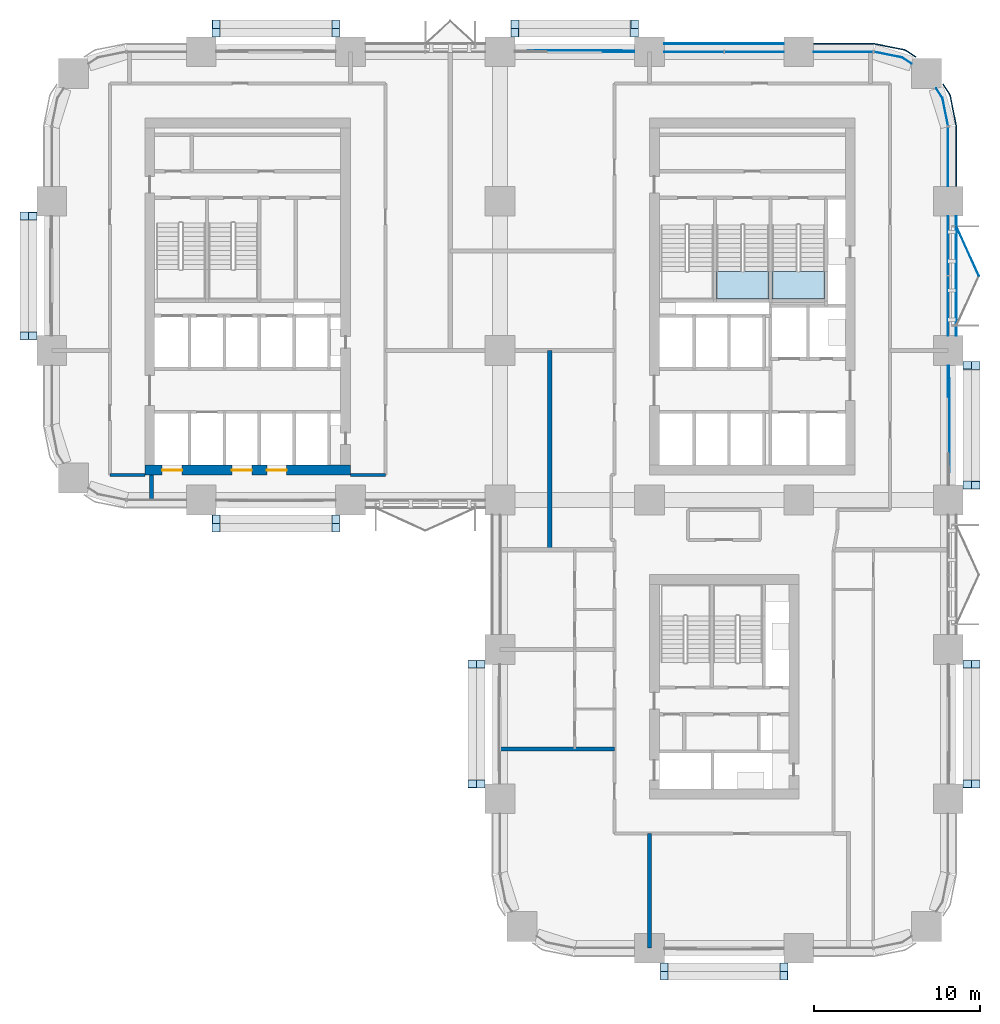
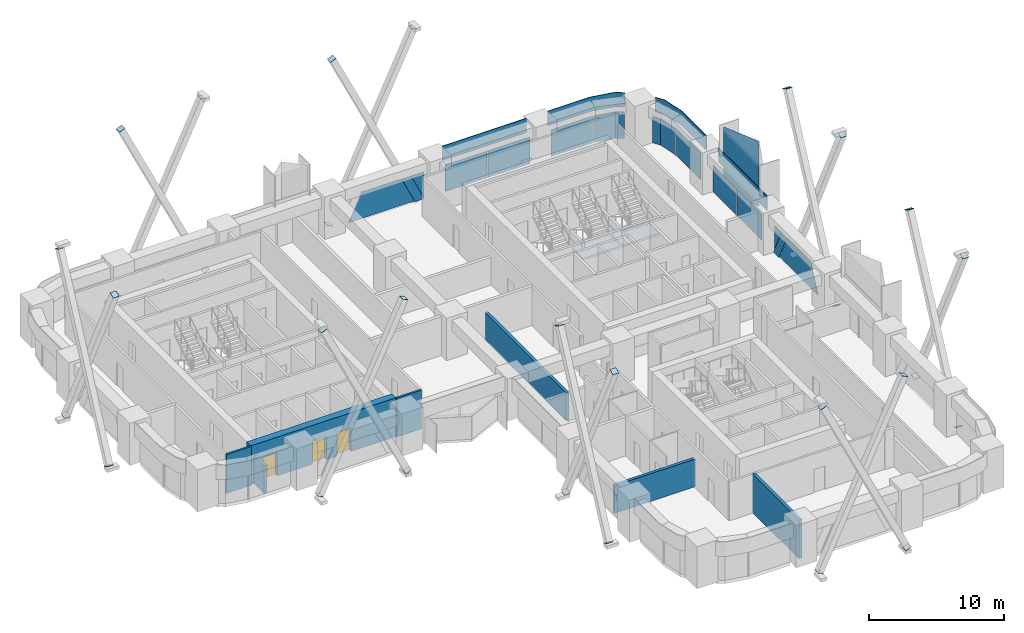
# One storey, part 12 of 19: 51 plates, 7 walls, 3 doors, 2 slabs, 3 openings, 8 elements without a shape of their own.
"""IFC4 building model written with IfcOpenShell, lengths in metres."""

from ifc_helpers import new_model, si_unit, direction, frame, frame_2d, origin, origin_2d, place, context, subcontext, project, spatial, polyline, rectangle, outline, extrude, material, layer, layer_set, type_object, element, fill, aggregate, save


model = new_model("IFC4")

# Units and contexts
model_context = context("Model", 3, precision=1e-05, world=origin(), true_north=direction((0.0, 1.0)))
body_context = subcontext(model_context, "Body", "Model", "MODEL_VIEW")
ifc_project = project(units=[si_unit("LENGTHUNIT", "METRE"), si_unit("AREAUNIT", "SQUARE_METRE"), si_unit("VOLUMEUNIT", "CUBIC_METRE"), si_unit("PLANEANGLEUNIT", "RADIAN"), si_unit("MASSUNIT", "GRAM", prefix="KILO")], contexts=[model_context])

# Site, building, storey
site_placement = place(None, origin())
site = spatial("IfcSite", under=ifc_project, at=site_placement, CompositionType="ELEMENT")
building_placement = place(site_placement, origin())
building = spatial("IfcBuilding", under=site, at=building_placement, Name="Tessera Arch", CompositionType="ELEMENT")
storey_placement = place(building_placement, frame((0.0, 0.0, 93.0)))
storey = spatial("IfcBuildingStorey", under=building, at=storey_placement, Name="L21", CompositionType="ELEMENT", Elevation=93.0)

# Curtain wall, plates
ifc_material_1 = material(Name="CW1 curtain wall")
curtain_wall_type_1 = type_object("IfcCurtainWallType", Name="CW1 curtain wall", PredefinedType="NOTDEFINED", material=ifc_material_1)
curtain_wall_1_placement = place(storey_placement, origin())
curtain_wall_1 = element("IfcCurtainWall", 1, at=curtain_wall_1_placement, inside=storey, type_object=curtain_wall_type_1, Name="CW1 curtain wall N54.0/0 L21", PredefinedType="NOTDEFINED")
ifc_material_2 = material(Name="Clear low-e glass", Category="glass")
ifc_material_3 = material(Name="Clear low-e glass", Category="glass")
ifc_layer_1 = layer(ifc_material_3, 0.028076171875)
ifc_layer_set_1 = layer_set([ifc_layer_1], Name="CW1 glass panel")
plate_type_1 = type_object("IfcPlateType", Name="CW1 glass panel", PredefinedType="CURTAIN_PANEL", material=ifc_layer_set_1)
plate_1_placement = place(storey_placement, frame((42.31494140625, 54.0, 0.0), z_axis=(0.0, 0.0, 1.0), x_axis=(-1.0, 0.0, 0.0)))
plate_1 = element("IfcPlate", 2, at=plate_1_placement, type_object=plate_type_1, material=ifc_material_2, Name="CW1 glass panel N54.0/0 1.1.1", PredefinedType="CURTAIN_PANEL", context=body_context, shape_type="SweptSolid", body=[
    extrude(rectangle(XDim=3.570068359375, YDim=0.028076171875, at=origin_2d()), origin(), (0.0, 0.0, 1.0), 2.39990234375),
])
plate_2_placement = place(storey_placement, frame((38.68505859375, 54.0, 0.0), z_axis=(0.0, 0.0, 1.0), x_axis=(-1.0, 0.0, 0.0)))
plate_2 = element("IfcPlate", 3, at=plate_2_placement, type_object=plate_type_1, material=ifc_material_2, Name="CW1 glass panel N54.0/0 1.2.1", PredefinedType="CURTAIN_PANEL", context=body_context, shape_type="SweptSolid", body=[
    extrude(rectangle(XDim=3.570068359375, YDim=0.028076171875, at=origin_2d()), origin(), (0.0, 0.0, 1.0), 2.39990234375),
])

curtain_wall_2_placement = place(storey_placement, origin())
curtain_wall_2 = element("IfcCurtainWall", 4, at=curtain_wall_2_placement, inside=storey, type_object=curtain_wall_type_1, Name="CW1 curtain wall E54.0/4 L21", PredefinedType="NOTDEFINED")
plate_3_placement = place(storey_placement, frame((54.0, 38.68505859375, 0.0), z_axis=(0.0, 0.0, 1.0), x_axis=(0.0, 1.0, 0.0)))
plate_3 = element("IfcPlate", 5, at=plate_3_placement, type_object=plate_type_1, material=ifc_material_2, Name="CW1 glass panel E54.0/4 1.1.1", PredefinedType="CURTAIN_PANEL", context=body_context, shape_type="SweptSolid", body=[
    extrude(rectangle(XDim=3.570068359375, YDim=0.028076171875, at=origin_2d()), origin(), (0.0, 0.0, 1.0), 2.39990234375),
])
plate_4_placement = place(storey_placement, frame((54.0, 42.31494140625, 0.0), z_axis=(0.0, 0.0, 1.0), x_axis=(0.0, 1.0, 0.0)))
plate_4 = element("IfcPlate", 6, at=plate_4_placement, type_object=plate_type_1, material=ifc_material_2, Name="CW1 glass panel E54.0/4 1.2.1", PredefinedType="CURTAIN_PANEL", context=body_context, shape_type="SweptSolid", body=[
    extrude(rectangle(XDim=3.570068359375, YDim=0.028076171875, at=origin_2d()), origin(), (0.0, 0.0, 1.0), 2.39990234375),
])

# Plate
ifc_material_4 = material(Name="Pale anodised aluminium panel", Category="aluminium")
ifc_layer_2 = layer(ifc_material_4, 0.06005859375)
ifc_layer_set_2 = layer_set([ifc_layer_2], Name="CW1 spandrel panel")
plate_type_2 = type_object("IfcPlateType", Name="CW1 spandrel panel", PredefinedType="CURTAIN_PANEL", material=ifc_layer_set_2)
plate_5_placement = place(storey_placement, frame((40.5, 54.47998046875, 2.5), z_axis=(0.0, 0.0, 1.0), x_axis=(-1.0, 0.0, 0.0)))
plate_5 = element("IfcPlate", 7, at=plate_5_placement, type_object=plate_type_2, Name="CW1 spandrel panel N54.0/0", PredefinedType="CURTAIN_PANEL", context=body_context, shape_type="SweptSolid", body=[
    extrude(rectangle(XDim=7.199951171875, YDim=0.06005859375, at=origin_2d()), origin(), (0.0, 0.0, 1.0), 1.300048828125),
])

aggregate(curtain_wall_1, [plate_1, plate_2, plate_5])

plate_6_placement = place(storey_placement, frame((54.47998046875, 40.5, 2.5), z_axis=(0.0, 0.0, 1.0), x_axis=(0.0, 1.0, 0.0)))
plate_6 = element("IfcPlate", 8, at=plate_6_placement, type_object=plate_type_2, Name="CW1 spandrel panel E54.0/4", PredefinedType="CURTAIN_PANEL", context=body_context, shape_type="SweptSolid", body=[
    extrude(rectangle(XDim=7.199951171875, YDim=0.06005859375, at=origin_2d()), origin(), (0.0, 0.0, 1.0), 1.300048828125),
])

aggregate(curtain_wall_2, [plate_3, plate_4, plate_6])

# Curtain wall, plates
ifc_material_5 = material(Name="CW2 curtain wall")
curtain_wall_type_2 = type_object("IfcCurtainWallType", Name="CW2 curtain wall", PredefinedType="NOTDEFINED", material=ifc_material_5)
curtain_wall_3_placement = place(storey_placement, origin())
curtain_wall_3 = element("IfcCurtainWall", 9, at=curtain_wall_3_placement, inside=storey, type_object=curtain_wall_type_2, Name="CW2 curtain wall E54.0/5 L21", PredefinedType="NOTDEFINED")
ifc_material_6 = material(Name="Clear low-e glass", Category="glass")
ifc_layer_3 = layer(ifc_material_6, 0.028076171875)
ifc_layer_set_3 = layer_set([ifc_layer_3], Name="CW2 glass panel")
plate_type_3 = type_object("IfcPlateType", Name="CW2 glass panel", PredefinedType="CURTAIN_PANEL", material=ifc_layer_set_3)
plate_7_placement = place(storey_placement, frame((54.0, 47.679931640625, 0.0), z_axis=(0.0, 0.0, 1.0), x_axis=(0.0, 1.0, 0.0)))
plate_7 = element("IfcPlate", 10, at=plate_7_placement, type_object=plate_type_3, material=ifc_material_2, Name="CW2 glass panel E54.0/5 1.1", PredefinedType="CURTAIN_PANEL", context=body_context, shape_type="SweptSolid", body=[
    extrude(rectangle(XDim=3.56005859375, YDim=0.028076171875, at=origin_2d()), origin(), (0.0, 0.0, 1.0), 2.39990234375),
])
plate_8_placement = place(storey_placement, origin())
plate_8 = element("IfcPlate", 11, at=plate_8_placement, type_object=plate_type_3, material=ifc_material_2, Name="CW2 curved glass panel E54.0/5 2.1", PredefinedType="CURTAIN_PANEL", context=body_context, shape_type="SweptSolid", body=[
    extrude(outline(polyline([(53.644287109375, 51.216552734375), (53.978515625, 49.53662109375), (54.005859375, 49.5419921875), (53.670654296875, 51.2275390625), (53.294921875, 51.789794921875), (53.271728515625, 51.774169921875), (53.644287109375, 51.216552734375)])), origin(), (0.0, 0.0, 1.0), 2.39990234375),
])

curtain_wall_4_placement = place(storey_placement, origin())
curtain_wall_4 = element("IfcCurtainWall", 12, at=curtain_wall_4_placement, inside=storey, type_object=curtain_wall_type_2, Name="CW2 curtain wall N54.0/5 L21", PredefinedType="NOTDEFINED")
plate_9_placement = place(storey_placement, frame((47.679931640625, 54.0, 0.0), z_axis=(0.0, 0.0, 1.0), x_axis=(-1.0, 0.0, 0.0)))
plate_9 = element("IfcPlate", 13, at=plate_9_placement, type_object=plate_type_3, material=ifc_material_2, Name="CW2 glass panel N54.0/5 1.1", PredefinedType="CURTAIN_PANEL", context=body_context, shape_type="SweptSolid", body=[
    extrude(rectangle(XDim=3.56005859375, YDim=0.028076171875, at=origin_2d()), origin(), (0.0, 0.0, 1.0), 2.39990234375),
])
plate_10_placement = place(storey_placement, origin())
plate_10 = element("IfcPlate", 14, at=plate_10_placement, type_object=plate_type_3, material=ifc_material_2, Name="CW2 curved glass panel N54.0/5 2.1", PredefinedType="CURTAIN_PANEL", context=body_context, shape_type="SweptSolid", body=[
    extrude(outline(polyline([(51.216552734375, 53.644287109375), (51.774169921875, 53.271728515625), (51.789794921875, 53.294921875), (51.2275390625, 53.670654296875), (49.5419921875, 54.005859375), (49.53662109375, 53.978515625), (51.216552734375, 53.644287109375)])), origin(), (0.0, 0.0, 1.0), 2.39990234375),
])

# Plate
ifc_material_7 = material(Name="Pale anodised aluminium panel", Category="aluminium")
ifc_layer_4 = layer(ifc_material_7, 0.06005859375)
ifc_layer_set_4 = layer_set([ifc_layer_4], Name="CW2 spandrel panel")
plate_type_4 = type_object("IfcPlateType", Name="CW2 spandrel panel", PredefinedType="CURTAIN_PANEL", material=ifc_layer_set_4)
plate_11_placement = place(storey_placement, frame((0.0, 0.0, 2.5)))
plate_11 = element("IfcPlate", 15, at=plate_11_placement, type_object=plate_type_4, Name="CW2 spandrel panel E54.0/5", PredefinedType="CURTAIN_PANEL", context=body_context, shape_type="SweptSolid", body=[
    extrude(outline(polyline([(54.449951171875, 49.499267578125), (54.449951171875, 45.89990234375), (54.510009765625, 45.89990234375), (54.510009765625, 49.500732421875), (54.507568359375, 49.550048828125), (54.500244140625, 49.598876953125), (54.157470703125, 51.322265625), (54.1455078125, 51.3701171875), (54.128662109375, 51.417236328125), (54.107177734375, 51.462646484375), (54.08203125, 51.5048828125), (53.707275390625, 52.0654296875), (53.657470703125, 52.031982421875), (54.03125, 51.47265625), (54.05419921875, 51.434326171875), (54.0732421875, 51.394287109375), (54.088134765625, 51.352783203125), (54.09912109375, 51.30908203125), (54.441162109375, 49.588623046875), (54.44775390625, 49.544189453125), (54.449951171875, 49.499267578125)])), origin(), (0.0, 0.0, 1.0), 1.300048828125),
])

aggregate(curtain_wall_3, [plate_7, plate_8, plate_11])

plate_12_placement = place(storey_placement, frame((0.0, 0.0, 2.5)))
plate_12 = element("IfcPlate", 16, at=plate_12_placement, type_object=plate_type_4, Name="CW2 spandrel panel N54.0/5", PredefinedType="CURTAIN_PANEL", context=body_context, shape_type="SweptSolid", body=[
    extrude(outline(polyline([(51.47265625, 54.03125), (52.031982421875, 53.657470703125), (52.0654296875, 53.707275390625), (51.5048828125, 54.08203125), (51.462646484375, 54.107177734375), (51.417236328125, 54.128662109375), (51.3701171875, 54.1455078125), (51.322265625, 54.157470703125), (49.598876953125, 54.500244140625), (49.550048828125, 54.507568359375), (49.500732421875, 54.510009765625), (45.89990234375, 54.510009765625), (45.89990234375, 54.449951171875), (49.499267578125, 54.449951171875), (49.544189453125, 54.44775390625), (49.588623046875, 54.441162109375), (51.30908203125, 54.09912109375), (51.352783203125, 54.088134765625), (51.394287109375, 54.0732421875), (51.434326171875, 54.05419921875), (51.47265625, 54.03125)])), origin(), (0.0, 0.0, 1.0), 1.300048828125),
])

aggregate(curtain_wall_4, [plate_9, plate_10, plate_12])

# Curtain wall, plate
ifc_material_8 = material(Name="CW3 curtain wall")
curtain_wall_type_3 = type_object("IfcCurtainWallType", Name="CW3 curtain wall", PredefinedType="NOTDEFINED", material=ifc_material_8)
curtain_wall_5_placement = place(storey_placement, origin())
curtain_wall_5 = element("IfcCurtainWall", 17, at=curtain_wall_5_placement, inside=storey, type_object=curtain_wall_type_3, Name="CW3 curtain wall N54.0/1 L21", PredefinedType="NOTDEFINED")
ifc_material_9 = material(Name="Pale anodised aluminium panel", Category="aluminium")
ifc_layer_5 = layer(ifc_material_9, 0.06005859375)
ifc_layer_set_5 = layer_set([ifc_layer_5], Name="CW3 diagonal panel")
plate_type_5 = type_object("IfcPlateType", Name="CW3 diagonal panel", PredefinedType="CURTAIN_PANEL", material=ifc_layer_set_5)
plate_13_placement = place(storey_placement, frame((33.18505859375, 54.030029296875, 2.39990234375), z_axis=(0.0, 1.0, 0.0), x_axis=(1.0, 0.0, 0.0)))
plate_13 = element("IfcPlate", 18, at=plate_13_placement, type_object=plate_type_5, Name="CW3 diagonal panel N54.0/1 2", PredefinedType="CURTAIN_PANEL", context=body_context, shape_type="SweptSolid", body=[
    extrude(outline(polyline([(0.0, 0.0), (0.79833984375, 0.0), (1.9150390625, 2.357421875), (1.9150390625, 2.39990234375), (1.136962890625, 2.39990234375), (0.0, 0.0)])), origin(), (0.0, 0.0, -1.0), 0.06005859375),
])

curtain_wall_6_placement = place(storey_placement, origin())
curtain_wall_6 = element("IfcCurtainWall", 19, at=curtain_wall_6_placement, inside=storey, type_object=curtain_wall_type_3, Name="CW3 curtain wall E54.0/3 L21", PredefinedType="NOTDEFINED")
plate_14_placement = place(storey_placement, frame((54.030029296875, 35.10009765625, 0.0), z_axis=(1.0, 0.0, 0.0), x_axis=(0.0, 0.0, 1.0)))
plate_14 = element("IfcPlate", 20, at=plate_14_placement, type_object=plate_type_5, Name="CW3 diagonal panel E54.0/3 1", PredefinedType="CURTAIN_PANEL", context=body_context, shape_type="SweptSolid", body=[
    extrude(outline(polyline([(0.0, 0.0), (0.04248046875, 0.0), (2.39990234375, 1.11669921875), (2.39990234375, 1.9150390625), (0.0, 0.778076171875), (0.0, 0.0)])), origin(), (0.0, 0.0, -1.0), 0.06005859375),
])

# Plate
ifc_material_10 = material(Name="Clear low-e glass", Category="glass")
ifc_layer_6 = layer(ifc_material_10, 0.028076171875)
ifc_layer_set_6 = layer_set([ifc_layer_6], Name="CW3 glass panel")
plate_type_6 = type_object("IfcPlateType", Name="CW3 glass panel", PredefinedType="CURTAIN_PANEL", material=ifc_layer_set_6)
plate_15_placement = place(storey_placement, frame((35.10009765625, 54.05810546875, 2.39990234375), z_axis=(0.0, 1.0, 0.0), x_axis=(0.0, 0.0, -1.0)))
plate_15 = element("IfcPlate", 21, at=plate_15_placement, type_object=plate_type_6, material=ifc_material_2, Name="CW3 triangulated glass panel N54.0/1 1", PredefinedType="CURTAIN_PANEL", context=body_context, shape_type="SweptSolid", body=[
    extrude(outline(polyline([(0.0, 0.0), (2.357421875, 0.0), (0.0, 1.11669921875), (0.0, 0.0)])), origin(), (0.0, 0.0, -1.0), 0.028076171875),
])

plate_16_placement = place(storey_placement, frame((29.81494140625, 54.0859375, 2.39990234375), z_axis=(0.0, 1.0, 0.0), x_axis=(1.0, 0.0, 0.0)))
plate_16 = element("IfcPlate", 22, at=plate_16_placement, type_object=plate_type_6, material=ifc_material_2, Name="CW3 triangulated glass panel N54.0/1 2", PredefinedType="CURTAIN_PANEL", context=body_context, shape_type="SweptSolid", body=[
    extrude(outline(polyline([(0.0, 0.0), (3.3701171875, 0.0), (4.507080078125, 2.39990234375), (-1.136962890625, 2.39990234375), (0.0, 0.0)])), origin(), (0.0, 0.0, -1.0), 0.028076171875),
])

aggregate(curtain_wall_5, [plate_15, plate_16, plate_13])

plate_17_placement = place(storey_placement, frame((54.0859375, 33.18505859375, 2.39990234375), z_axis=(1.0, 0.0, 0.0), x_axis=(0.0, -1.0, 0.0)))
plate_17 = element("IfcPlate", 23, at=plate_17_placement, type_object=plate_type_6, material=ifc_material_2, Name="CW3 triangulated glass panel E54.0/3 2", PredefinedType="CURTAIN_PANEL", context=body_context, shape_type="SweptSolid", body=[
    extrude(outline(polyline([(0.0, 0.0), (3.3701171875, 0.0), (4.507080078125, 2.39990234375), (-1.136962890625, 2.39990234375), (0.0, 0.0)])), origin(), (0.0, 0.0, -1.0), 0.028076171875),
])

plate_18_placement = place(storey_placement, frame((54.05810546875, 35.10009765625, 2.39990234375), z_axis=(1.0, 0.0, 0.0), x_axis=(0.0, -1.0, 0.0)))
plate_18 = element("IfcPlate", 24, at=plate_18_placement, type_object=plate_type_6, material=ifc_material_2, Name="CW3 triangulated glass panel E54.0/3 3", PredefinedType="CURTAIN_PANEL", context=body_context, shape_type="SweptSolid", body=[
    extrude(outline(polyline([(0.0, 0.0), (1.11669921875, 0.0), (0.0, 2.357421875), (0.0, 0.0)])), origin(), (0.0, 0.0, -1.0), 0.028076171875),
])

aggregate(curtain_wall_6, [plate_17, plate_18, plate_14])

# Plates
ifc_material_11 = material(Name="Steel A572 Gr50", Category="steel")
ifc_layer_7 = layer(ifc_material_11, 0.02490234375)
ifc_layer_set_7 = layer_set([ifc_layer_7], Name="End plate HSS20x20x5/8")
plate_type_7 = type_object("IfcPlateType", Name="End plate HSS20x20x5/8", PredefinedType="SHEET", material=ifc_layer_set_7)
for number, where, z_axis, x_axis, name in (
    (25, (35.110595703125, 55.154052734375, -0.822509765625), (-0.423424464258, 0.0, 0.9059314119), (0.0, -1.0, 0.0), "End plate HSS20x20x5/8 N54.0-1 A1 L21"),
    (26, (27.89990234375, 55.154052734375, 14.39990234375), (-0.41967700251, 0.0, 0.907673517056), (0.0, -1.0, 0.0), "End plate HSS20x20x5/8 N54.0-1 A2 L21"),
    (27, (27.889404296875, 55.662109375, -0.822509765625), (0.423424464258, 0.0, 0.9059314119), (0.0, 1.0, 0.0), "End plate HSS20x20x5/8 N54.0-1 B1 L21"),
    (28, (35.10009765625, 55.662109375, 14.39990234375), (0.41967700251, 0.0, 0.907673517056), (0.0, 1.0, 0.0), "End plate HSS20x20x5/8 N54.0-1 B2 L21"),
    (29, (17.110595703125, 55.154052734375, -0.822509765625), (-0.423424464258, 0.0, 0.9059314119), (0.0, -1.0, 0.0), "End plate HSS20x20x5/8 N54.0-3 A1 L21"),
    (30, (9.89990234375, 55.154052734375, 14.39990234375), (-0.41967700251, 0.0, 0.907673517056), (0.0, -1.0, 0.0), "End plate HSS20x20x5/8 N54.0-3 A2 L21"),
    (31, (9.889404296875, 55.662109375, -0.822509765625), (0.423424464258, 0.0, 0.9059314119), (0.0, 1.0, 0.0), "End plate HSS20x20x5/8 N54.0-3 B1 L21"),
    (32, (17.10009765625, 55.662109375, 14.39990234375), (0.41967700251, 0.0, 0.907673517056), (0.0, 1.0, 0.0), "End plate HSS20x20x5/8 N54.0-3 B2 L21"),
    (33, (-1.154052734375, 44.110595703125, -0.822509765625), (0.0, -0.423424464258, 0.9059314119), (1.0, 0.0, 0.0), "End plate HSS20x20x5/8 W0.27-1 A1 L21"),
    (34, (-1.154052734375, 36.89990234375, 14.39990234375), (0.0, -0.41967700251, 0.907673517056), (1.0, 0.0, 0.0), "End plate HSS20x20x5/8 W0.27-1 A2 L21"),
    (35, (-1.662109375, 36.889404296875, -0.822509765625), (0.0, 0.423424464258, 0.9059314119), (-1.0, 0.0, 0.0), "End plate HSS20x20x5/8 W0.27-1 B1 L21"),
    (36, (-1.662109375, 44.10009765625, 14.39990234375), (0.0, 0.41967700251, 0.907673517056), (-1.0, 0.0, 0.0), "End plate HSS20x20x5/8 W0.27-1 B2 L21"),
    (37, (9.889404296875, 25.845947265625, -0.822509765625), (0.423424464258, 0.0, 0.9059314119), (0.0, 1.0, 0.0), "End plate HSS20x20x5/8 S27.0-1 A1 L21"),
    (38, (17.10009765625, 25.845947265625, 14.39990234375), (0.41967700251, 0.0, 0.907673517056), (0.0, 1.0, 0.0), "End plate HSS20x20x5/8 S27.0-1 A2 L21"),
    (39, (17.110595703125, 25.337890625, -0.822509765625), (-0.423424464258, 0.0, 0.9059314119), (0.0, -1.0, 0.0), "End plate HSS20x20x5/8 S27.0-1 B1 L21"),
    (40, (9.89990234375, 25.337890625, 14.39990234375), (-0.41967700251, 0.0, 0.907673517056), (0.0, -1.0, 0.0), "End plate HSS20x20x5/8 S27.0-1 B2 L21"),
    (41, (25.845947265625, 17.110595703125, -0.822509765625), (0.0, -0.423424464258, 0.9059314119), (1.0, 0.0, 0.0), "End plate HSS20x20x5/8 W27.0-1 A1 L21"),
    (42, (25.845947265625, 9.89990234375, 14.39990234375), (0.0, -0.41967700251, 0.907673517056), (1.0, 0.0, 0.0), "End plate HSS20x20x5/8 W27.0-1 A2 L21"),
    (43, (25.337890625, 9.889404296875, -0.822509765625), (0.0, 0.423424464258, 0.9059314119), (-1.0, 0.0, 0.0), "End plate HSS20x20x5/8 W27.0-1 B1 L21"),
    (44, (25.337890625, 17.10009765625, 14.39990234375), (0.0, 0.41967700251, 0.907673517056), (-1.0, 0.0, 0.0), "End plate HSS20x20x5/8 W27.0-1 B2 L21"),
    (45, (36.889404296875, -1.154052734375, -0.822509765625), (0.423424464258, 0.0, 0.9059314119), (0.0, 1.0, 0.0), "End plate HSS20x20x5/8 S0.27-1 A1 L21"),
    (46, (44.10009765625, -1.154052734375, 14.39990234375), (0.41967700251, 0.0, 0.907673517056), (0.0, 1.0, 0.0), "End plate HSS20x20x5/8 S0.27-1 A2 L21"),
    (47, (44.110595703125, -1.662109375, -0.822509765625), (-0.423424464258, 0.0, 0.9059314119), (0.0, -1.0, 0.0), "End plate HSS20x20x5/8 S0.27-1 B1 L21"),
    (48, (36.89990234375, -1.662109375, 14.39990234375), (-0.41967700251, 0.0, 0.907673517056), (0.0, -1.0, 0.0), "End plate HSS20x20x5/8 S0.27-1 B2 L21"),
    (49, (55.154052734375, 9.889404296875, -0.822509765625), (0.0, 0.423424464258, 0.9059314119), (-1.0, 0.0, 0.0), "End plate HSS20x20x5/8 E54.0-1 A1 L21"),
    (50, (55.154052734375, 17.10009765625, 14.39990234375), (0.0, 0.41967700251, 0.907673517056), (-1.0, 0.0, 0.0), "End plate HSS20x20x5/8 E54.0-1 A2 L21"),
    (51, (55.662109375, 17.110595703125, -0.822509765625), (0.0, -0.423424464258, 0.9059314119), (1.0, 0.0, 0.0), "End plate HSS20x20x5/8 E54.0-1 B1 L21"),
    (52, (55.662109375, 9.89990234375, 14.39990234375), (0.0, -0.41967700251, 0.907673517056), (1.0, 0.0, 0.0), "End plate HSS20x20x5/8 E54.0-1 B2 L21"),
    (53, (55.154052734375, 27.889404296875, -0.822509765625), (0.0, 0.423424464258, 0.9059314119), (-1.0, 0.0, 0.0), "End plate HSS20x20x5/8 E54.0-3 A1 L21"),
    (54, (55.154052734375, 35.10009765625, 14.39990234375), (0.0, 0.41967700251, 0.907673517056), (-1.0, 0.0, 0.0), "End plate HSS20x20x5/8 E54.0-3 A2 L21"),
    (55, (55.662109375, 35.110595703125, -0.822509765625), (0.0, -0.423424464258, 0.9059314119), (1.0, 0.0, 0.0), "End plate HSS20x20x5/8 E54.0-3 B1 L21"),
    (56, (55.662109375, 27.89990234375, 14.39990234375), (0.0, -0.41967700251, 0.907673517056), (1.0, 0.0, 0.0), "End plate HSS20x20x5/8 E54.0-3 B2 L21"),
):
    element("IfcPlate", number, at=place(storey_placement, frame(where, z_axis=z_axis, x_axis=x_axis)), inside=storey, type_object=plate_type_7, Name=name, PredefinedType="SHEET", context=body_context, shape_type="SweptSolid", body=[
        extrude(rectangle(XDim=0.508056640625, YDim=0.508056640625, at=origin_2d()), origin(), (0.0, 0.0, 1.0), 0.02490234375),
    ])

# Stair, slab
ifc_material_12 = material(Name="Concrete C40/50", Category="concrete")
stair_type = type_object("IfcStairType", Name="Dogleg stair 1520", PredefinedType="HALF_TURN_STAIR", material=ifc_material_12)
stair_1_placement = place(storey_placement, origin())
stair_1 = element("IfcStair", 57, at=stair_1_placement, inside=storey, type_object=stair_type, Name="L21 S1b", PredefinedType="HALF_TURN_STAIR")
ifc_material_13 = material(Name="Concrete C40/50", Category="concrete")
ifc_layer_8 = layer(ifc_material_13, 0.300048828125)
ifc_layer_set_8 = layer_set([ifc_layer_8], Name="Stair landing 300")
slab_type = type_object("IfcSlabType", Name="Stair landing 300", PredefinedType="LANDING", material=ifc_layer_set_8)
slab_1_placement = place(storey_placement, frame((0.0, 0.0, 1.699951171875)))
slab_1 = element("IfcSlab", 58, at=slab_1_placement, type_object=slab_type, Name="S1b landing 1", PredefinedType="LANDING", context=body_context, shape_type="SweptSolid", body=[
    extrude(outline(polyline([(40.050048828125, 40.780029296875), (40.050048828125, 39.10009765625), (43.199951171875, 39.10009765625), (43.199951171875, 40.780029296875), (40.050048828125, 40.780029296875)])), origin(), (0.0, 0.0, 1.0), 0.199951171875),
])
aggregate(stair_1, [slab_1])

stair_2_placement = place(storey_placement, origin())
stair_2 = element("IfcStair", 59, at=stair_2_placement, inside=storey, type_object=stair_type, Name="L21 S1c", PredefinedType="HALF_TURN_STAIR")
slab_2_placement = place(storey_placement, frame((0.0, 0.0, 1.699951171875)))
slab_2 = element("IfcSlab", 60, at=slab_2_placement, type_object=slab_type, Name="S1c landing 1", PredefinedType="LANDING", context=body_context, shape_type="SweptSolid", body=[
    extrude(outline(polyline([(43.39990234375, 40.780029296875), (43.39990234375, 39.10009765625), (46.550048828125, 39.10009765625), (46.550048828125, 40.780029296875), (43.39990234375, 40.780029296875)])), origin(), (0.0, 0.0, 1.0), 0.199951171875),
])
aggregate(stair_2, [slab_2])

# Plate
ifc_material_14 = material(Name="Clear low-e glass", Category="glass")
ifc_layer_9 = layer(ifc_material_14, 0.028076171875)
ifc_layer_set_9 = layer_set([ifc_layer_9], Name="Window box glass facet")
plate_type_8 = type_object("IfcPlateType", Name="Window box glass facet", PredefinedType="SHEET", material=ifc_layer_set_9)
plate_19_placement = place(storey_placement, frame((55.179931640625, 41.97509765625, 0.2197265625), z_axis=(0.0, 0.0, 1.0), x_axis=(0.413570397858, -0.910472144558, 0.0)))
element("IfcPlate", 61, at=plate_19_placement, inside=storey, type_object=plate_type_8, Name="Window box E54.0/4.0 2x2 glass", PredefinedType="SHEET", context=body_context, shape_type="SweptSolid", body=[
    extrude(rectangle(XDim=3.239990234375, YDim=0.028076171875, at=origin_2d()), origin(), (0.0, 0.0, 1.0), 5.860107421875),
])

# Wall, openings, doors
ifc_material_15 = material(Name="Concrete C70/85", Category="concrete")
ifc_layer_10 = layer(ifc_material_15, 0.60009765625)
ifc_layer_set_10 = layer_set([ifc_layer_10], Name="Core shell wall 600 C70-85")
wall_type_1 = type_object("IfcWallType", Name="Core shell wall 600 C70-85", PredefinedType="SHEAR", material=ifc_layer_set_10)
wall_1_placement = place(storey_placement, frame((5.60009765625, 28.800048828125, 0.0), z_axis=(0.0, 0.0, 1.0), x_axis=(1.0, 0.0, 0.0)))
wall_1 = element("IfcWall", 62, at=wall_1_placement, inside=storey, type_object=wall_type_1, Name="L21 C2 core wall S", PredefinedType="SHEAR", context=body_context, shape_type="SweptSolid", body=[
    extrude(rectangle(XDim=12.39990234375, YDim=0.60009765625, at=frame_2d((6.199951171875, 0.0))), origin(), (0.0, 0.0, 1.0), 3.5),
])
opening_1_placement = place(wall_1_placement, frame((1.050048828125, 0.0, 0.0)))
opening_1 = element("IfcOpeningElement", 63, at=opening_1_placement, cuts=wall_1, Name="Opening L21-C13", PredefinedType="OPENING", context=body_context, shape_type="SweptSolid", body=[
    extrude(rectangle(XDim=1.199951171875, YDim=2.10009765625, at=frame_2d((0.60009765625, 1.050048828125))), frame((0.0, 0.31005859375, 0.0), z_axis=(0.0, -1.0, 0.0), x_axis=(1.0, 0.0, 0.0)), (0.0, 0.0, 1.0), 0.6201171875),
])
opening_2_placement = place(wall_1_placement, frame((5.25, 0.0, 0.0)))
opening_2 = element("IfcOpeningElement", 64, at=opening_2_placement, cuts=wall_1, Name="Opening L21-C15", PredefinedType="OPENING", context=body_context, shape_type="SweptSolid", body=[
    extrude(rectangle(XDim=1.199951171875, YDim=2.10009765625, at=frame_2d((0.60009765625, 1.050048828125))), frame((0.0, 0.31005859375, 0.0), z_axis=(0.0, -1.0, 0.0), x_axis=(1.0, 0.0, 0.0)), (0.0, 0.0, 1.0), 0.6201171875),
])
opening_3_placement = place(wall_1_placement, frame((7.35009765625, 0.0, 0.0)))
opening_3 = element("IfcOpeningElement", 65, at=opening_3_placement, cuts=wall_1, Name="Opening L21-C16", PredefinedType="OPENING", context=body_context, shape_type="SweptSolid", body=[
    extrude(rectangle(XDim=1.199951171875, YDim=2.10009765625, at=frame_2d((0.60009765625, 1.050048828125))), frame((0.0, 0.31005859375, 0.0), z_axis=(0.0, -1.0, 0.0), x_axis=(1.0, 0.0, 0.0)), (0.0, 0.0, 1.0), 0.6201171875),
])
ifc_material_16 = material(Name="Stainless steel AISI 304", Category="steel")
door_type = type_object("IfcDoorType", Name="Sliding landing door 1200 x 2100", OperationType="SLIDING_TO_LEFT", PredefinedType="DOOR", material=ifc_material_16)
door_1_placement = place(opening_1_placement, origin())
door_1 = element("IfcDoor", 66, at=door_1_placement, inside=storey, type_object=door_type, Name="L21 LR1 lift landing door C13 type LD", OperationType="SLIDING_TO_LEFT", OverallHeight=2.10009765625, OverallWidth=1.199951171875, PredefinedType="DOOR", context=body_context, shape_type="SweptSolid", body=[
    extrude(rectangle(XDim=1.199951171875, YDim=2.10009765625, at=frame_2d((0.60009765625, 1.050048828125))), frame((0.0, 0.02490234375, 0.0), z_axis=(0.0, -1.0, 0.0), x_axis=(1.0, 0.0, 0.0)), (0.0, 0.0, 1.0), 0.050048828125),
])
fill(opening_1, door_1)
door_2_placement = place(opening_2_placement, origin())
door_2 = element("IfcDoor", 67, at=door_2_placement, inside=storey, type_object=door_type, Name="L21 LR3 lift landing door C15 type LD", OperationType="SLIDING_TO_LEFT", OverallHeight=2.10009765625, OverallWidth=1.199951171875, PredefinedType="DOOR", context=body_context, shape_type="SweptSolid", body=[
    extrude(rectangle(XDim=1.199951171875, YDim=2.10009765625, at=frame_2d((0.60009765625, 1.050048828125))), frame((0.0, 0.02490234375, 0.0), z_axis=(0.0, -1.0, 0.0), x_axis=(1.0, 0.0, 0.0)), (0.0, 0.0, 1.0), 0.050048828125),
])
fill(opening_2, door_2)
door_3_placement = place(opening_3_placement, origin())
door_3 = element("IfcDoor", 68, at=door_3_placement, inside=storey, type_object=door_type, Name="L21 LR4 lift landing door C16 type LD", OperationType="SLIDING_TO_LEFT", OverallHeight=2.10009765625, OverallWidth=1.199951171875, PredefinedType="DOOR", context=body_context, shape_type="SweptSolid", body=[
    extrude(rectangle(XDim=1.199951171875, YDim=2.10009765625, at=frame_2d((0.60009765625, 1.050048828125))), frame((0.0, 0.02490234375, 0.0), z_axis=(0.0, -1.0, 0.0), x_axis=(1.0, 0.0, 0.0)), (0.0, 0.0, 1.0), 0.050048828125),
])
fill(opening_3, door_3)

# Walls
ifc_material_17 = material(Name="Gypsum board on deep steel stud with mineral wool", Category="steel")
ifc_layer_11 = layer(ifc_material_17, 0.175048828125)
ifc_layer_set_11 = layer_set([ifc_layer_11], Name="Corridor wall 175 EI 60")
wall_type_2 = type_object("IfcWallType", Name="Corridor wall 175 EI 60", PredefinedType="PARTITIONING", material=ifc_layer_set_11)
for number, where, z_axis, x_axis, name in (
    (69, (3.5, 28.5, 0.0), (0.0, 0.0, 1.0), (1.0, 0.0, 0.0), "L21 partition 6"),
    (70, (18.0, 28.5, 0.0), (0.0, 0.0, 1.0), (1.0, 0.0, 0.0), "L21 partition 7"),
):
    element("IfcWall", number, at=place(storey_placement, frame(where, z_axis=z_axis, x_axis=x_axis)), inside=storey, type_object=wall_type_2, Name=name, PredefinedType="PARTITIONING", context=body_context, shape_type="SweptSolid", body=[
        extrude(rectangle(XDim=2.10009765625, YDim=0.175048828125, at=frame_2d((1.050048828125, 0.0))), origin(), (0.0, 0.0, 1.0), 3.5),
    ])
ifc_material_18 = material(Name="Double gypsum board on twin steel stud with acoustic mineral wool", Category="steel")
ifc_layer_12 = layer(ifc_material_18, 0.25)
ifc_layer_set_12 = layer_set([ifc_layer_12], Name="Party wall 250 EI 60")
wall_type_3 = type_object("IfcWallType", Name="Party wall 250 EI 60", PredefinedType="PARTITIONING", material=ifc_layer_set_12)
wall_2_placement = place(storey_placement, frame((27.0, 12.0, 0.0), z_axis=(0.0, 0.0, 1.0), x_axis=(1.0, 0.0, 0.0)))
element("IfcWall", 71, at=wall_2_placement, inside=storey, type_object=wall_type_3, Name="L21 partition 25", PredefinedType="PARTITIONING", context=body_context, shape_type="SweptSolid", body=[
    extrude(rectangle(XDim=6.89990234375, YDim=0.25, at=frame_2d((3.449951171875, 0.0))), origin(), (0.0, 0.0, 1.0), 2.5),
])
wall_3_placement = place(storey_placement, frame((6.0, 27.0, 0.0), z_axis=(0.0, 0.0, 1.0), x_axis=(0.0, 1.0, 0.0)))
element("IfcWall", 72, at=wall_3_placement, inside=storey, type_object=wall_type_3, Name="L21 partition 34", PredefinedType="PARTITIONING", context=body_context, shape_type="SweptSolid", body=[
    extrude(rectangle(XDim=1.5, YDim=0.25, at=frame_2d((0.75, 0.0))), origin(), (0.0, 0.0, 1.0), 2.5),
])
wall_4_placement = place(storey_placement, frame((30.0, 24.0, 0.0), z_axis=(0.0, 0.0, 1.0), x_axis=(0.0, 1.0, 0.0)))
element("IfcWall", 73, at=wall_4_placement, inside=storey, type_object=wall_type_3, Name="L21 partition 37", PredefinedType="PARTITIONING", context=body_context, shape_type="SweptSolid", body=[
    extrude(rectangle(XDim=12.0, YDim=0.25, at=frame_2d((6.0, 0.0))), origin(), (0.0, 0.0, 1.0), 2.5),
])
wall_5_placement = place(storey_placement, frame((36.0, 0.0, 0.0), z_axis=(0.0, 0.0, 1.0), x_axis=(0.0, 1.0, 0.0)))
element("IfcWall", 74, at=wall_5_placement, inside=storey, type_object=wall_type_3, Name="L21 partition 38", PredefinedType="PARTITIONING", context=body_context, shape_type="SweptSolid", body=[
    extrude(rectangle(XDim=6.89990234375, YDim=0.25, at=frame_2d((3.449951171875, 0.0))), origin(), (0.0, 0.0, 1.0), 3.5),
])

save(model, "model.ifc")
